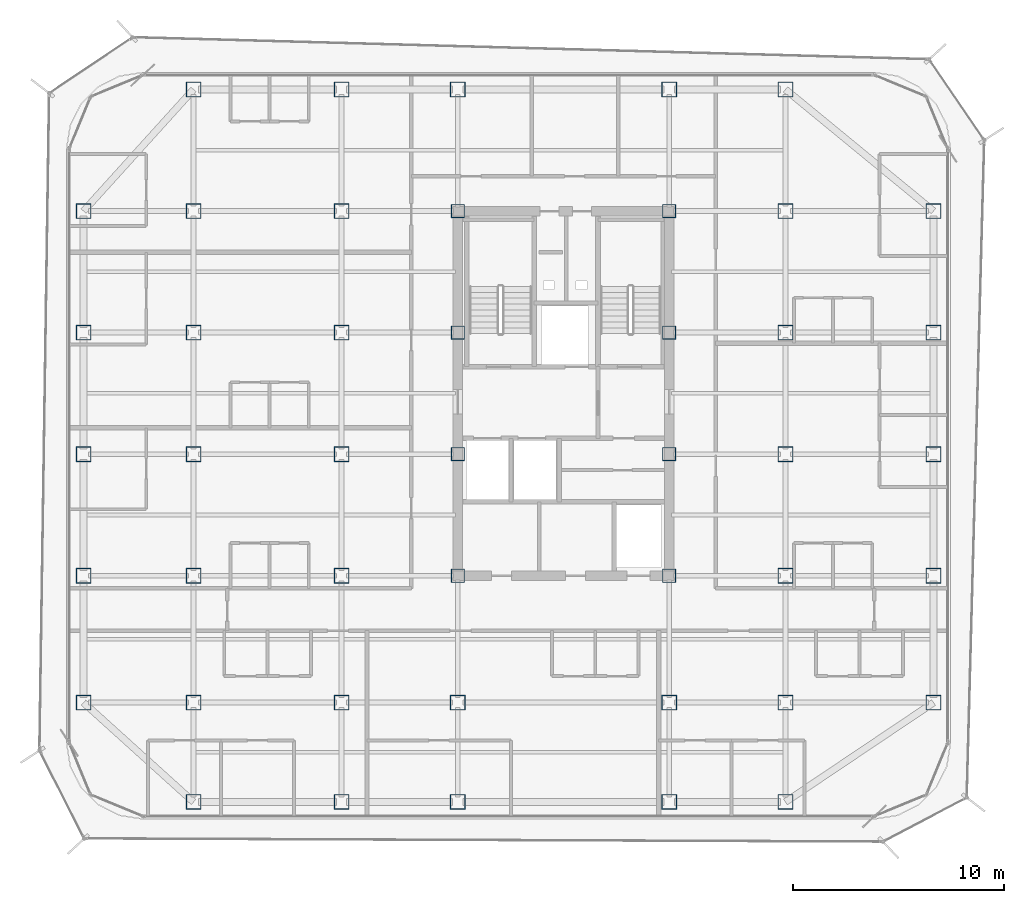
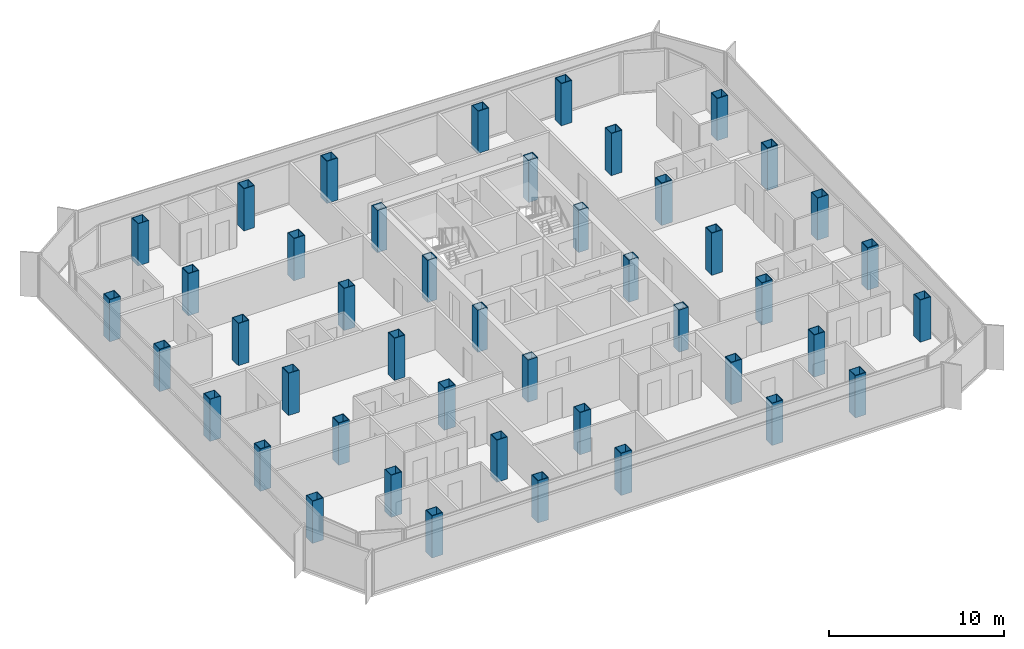
# One storey, part 1 of 16: 45 columns.
"""IFC4 building model written with IfcOpenShell, lengths in metres."""

from ifc_helpers import new_model, si_unit, direction, frame, origin, origin_2d, place, context, subcontext, project, spatial, hollow_rectangle, extrude, source, transform, mapped, material, material_profile, profile_set, type_object, element, save


model = new_model("IFC4")

# Units and contexts
model_context = context("Model", 3, precision=1e-05, world=origin(), true_north=direction((0.0, 1.0)))
body_context = subcontext(model_context, "Body", "Model", "MODEL_VIEW")
ifc_project = project(units=[si_unit("LENGTHUNIT", "METRE"), si_unit("AREAUNIT", "SQUARE_METRE"), si_unit("VOLUMEUNIT", "CUBIC_METRE"), si_unit("PLANEANGLEUNIT", "RADIAN"), si_unit("MASSUNIT", "GRAM", prefix="KILO")], contexts=[model_context])

# Site, building, storey
site_placement = place(None, origin())
site = spatial("IfcSite", under=ifc_project, at=site_placement, CompositionType="ELEMENT")
building_placement = place(site_placement, origin())
building = spatial("IfcBuilding", under=site, at=building_placement, Name="Kolveth Station Tower", CompositionType="ELEMENT")
storey_placement = place(building_placement, frame((0.0, 0.0, 159.300048828125)))
storey = spatial("IfcBuildingStorey", under=building, at=storey_placement, Name="L44", CompositionType="ELEMENT", Elevation=159.300048828125)

# Columns
ifc_material = material(Name="Steel S355", Category="steel")
ifc_material_profile_1 = material_profile(ifc_material, hollow_rectangle(XDim=0.719970703125, YDim=0.719970703125, WallThickness=0.0400390625, at=origin_2d()), Name="BOX720x720x40")
ifc_profile_set_1 = profile_set([ifc_material_profile_1], Name="Steel S355")
column_type_1 = type_object("IfcColumnType", Name="Col_C6", PredefinedType="COLUMN", material=ifc_profile_set_1)
shared_shape_1 = source(origin(), body_context, "Body", "SweptSolid", [
    extrude(hollow_rectangle(XDim=0.719970703125, YDim=0.719970703125, WallThickness=0.0400390625, at=origin_2d()), origin(), (0.0, 0.0, 1.0), 2.949951171875),
])
for number, where, z_axis, x_axis, name in (
    (1, (6.0, 0.800048828125, 0.0), (0.0, 0.0, 1.0), (1.0, 0.0, 0.0), "L44 Tower Column S-X60"),
    (2, (6.0, 34.5, 0.0), (0.0, 0.0, 1.0), (1.0, 0.0, 0.0), "L44 Tower Column N-X60"),
    (3, (13.0, 0.800048828125, 0.0), (0.0, 0.0, 1.0), (1.0, 0.0, 0.0), "L44 Tower Column S-X130"),
    (4, (13.0, 34.5, 0.0), (0.0, 0.0, 1.0), (1.0, 0.0, 0.0), "L44 Tower Column N-X130"),
    (5, (18.5, 0.800048828125, 0.0), (0.0, 0.0, 1.0), (1.0, 0.0, 0.0), "L44 Tower Column S-X185"),
    (6, (18.5, 34.5, 0.0), (0.0, 0.0, 1.0), (1.0, 0.0, 0.0), "L44 Tower Column N-X185"),
    (7, (28.5, 0.800048828125, 0.0), (0.0, 0.0, 1.0), (1.0, 0.0, 0.0), "L44 Tower Column S-X285"),
    (8, (28.5, 34.5, 0.0), (0.0, 0.0, 1.0), (1.0, 0.0, 0.0), "L44 Tower Column N-X285"),
    (9, (34.0, 0.800048828125, 0.0), (0.0, 0.0, 1.0), (1.0, 0.0, 0.0), "L44 Tower Column S-X340"),
    (10, (34.0, 34.5, 0.0), (0.0, 0.0, 1.0), (1.0, 0.0, 0.0), "L44 Tower Column N-X340"),
    (11, (0.800048828125, 5.5, 0.0), (0.0, 0.0, 1.0), (1.0, 0.0, 0.0), "L44 Tower Column W-Y55"),
    (12, (41.0, 5.5, 0.0), (0.0, 0.0, 1.0), (1.0, 0.0, 0.0), "L44 Tower Column E-Y55"),
    (13, (0.800048828125, 11.5, 0.0), (0.0, 0.0, 1.0), (1.0, 0.0, 0.0), "L44 Tower Column W-Y115"),
    (14, (41.0, 11.5, 0.0), (0.0, 0.0, 1.0), (1.0, 0.0, 0.0), "L44 Tower Column E-Y115"),
    (15, (0.800048828125, 17.25, 0.0), (0.0, 0.0, 1.0), (1.0, 0.0, 0.0), "L44 Tower Column W-Y172"),
    (16, (41.0, 17.25, 0.0), (0.0, 0.0, 1.0), (1.0, 0.0, 0.0), "L44 Tower Column E-Y172"),
    (17, (0.800048828125, 23.0, 0.0), (0.0, 0.0, 1.0), (1.0, 0.0, 0.0), "L44 Tower Column W-Y230"),
    (18, (41.0, 23.0, 0.0), (0.0, 0.0, 1.0), (1.0, 0.0, 0.0), "L44 Tower Column E-Y230"),
    (19, (0.800048828125, 28.75, 0.0), (0.0, 0.0, 1.0), (1.0, 0.0, 0.0), "L44 Tower Column W-Y287"),
    (20, (41.0, 28.75, 0.0), (0.0, 0.0, 1.0), (1.0, 0.0, 0.0), "L44 Tower Column E-Y287"),
    (21, (6.0, 5.5, 0.0), (0.0, 0.0, 1.0), (1.0, 0.0, 0.0), "L44 Tower Column G-60-55"),
    (22, (6.0, 11.5, 0.0), (0.0, 0.0, 1.0), (1.0, 0.0, 0.0), "L44 Tower Column G-60-115"),
    (23, (6.0, 17.25, 0.0), (0.0, 0.0, 1.0), (1.0, 0.0, 0.0), "L44 Tower Column G-60-172"),
    (24, (6.0, 23.0, 0.0), (0.0, 0.0, 1.0), (1.0, 0.0, 0.0), "L44 Tower Column G-60-230"),
    (25, (6.0, 28.75, 0.0), (0.0, 0.0, 1.0), (1.0, 0.0, 0.0), "L44 Tower Column G-60-287"),
    (26, (13.0, 5.5, 0.0), (0.0, 0.0, 1.0), (1.0, 0.0, 0.0), "L44 Tower Column G-130-55"),
    (27, (13.0, 11.5, 0.0), (0.0, 0.0, 1.0), (1.0, 0.0, 0.0), "L44 Tower Column G-130-115"),
    (28, (13.0, 17.25, 0.0), (0.0, 0.0, 1.0), (1.0, 0.0, 0.0), "L44 Tower Column G-130-172"),
    (29, (13.0, 23.0, 0.0), (0.0, 0.0, 1.0), (1.0, 0.0, 0.0), "L44 Tower Column G-130-230"),
    (30, (13.0, 28.75, 0.0), (0.0, 0.0, 1.0), (1.0, 0.0, 0.0), "L44 Tower Column G-130-287"),
    (31, (18.5, 5.5, 0.0), (0.0, 0.0, 1.0), (1.0, 0.0, 0.0), "L44 Tower Column G-185-55"),
    (32, (28.5, 5.5, 0.0), (0.0, 0.0, 1.0), (1.0, 0.0, 0.0), "L44 Tower Column G-285-55"),
    (33, (34.0, 5.5, 0.0), (0.0, 0.0, 1.0), (1.0, 0.0, 0.0), "L44 Tower Column G-340-55"),
    (34, (34.0, 11.5, 0.0), (0.0, 0.0, 1.0), (1.0, 0.0, 0.0), "L44 Tower Column G-340-115"),
    (35, (34.0, 17.25, 0.0), (0.0, 0.0, 1.0), (1.0, 0.0, 0.0), "L44 Tower Column G-340-172"),
    (36, (34.0, 23.0, 0.0), (0.0, 0.0, 1.0), (1.0, 0.0, 0.0), "L44 Tower Column G-340-230"),
    (37, (34.0, 28.75, 0.0), (0.0, 0.0, 1.0), (1.0, 0.0, 0.0), "L44 Tower Column G-340-287"),
):
    element("IfcColumn", number, at=place(storey_placement, frame(where, z_axis=z_axis, x_axis=x_axis)), inside=storey, type_object=column_type_1, Name=name, PredefinedType="COLUMN", context=body_context, shape_type="MappedRepresentation", body=[
        mapped(shared_shape_1, transform((0.0, 0.0, 0.0), x_axis=(1.0, 0.0, 0.0), y_axis=(0.0, 1.0, 0.0), z_axis=(0.0, 0.0, 1.0), scale=1.0)),
    ])
ifc_material_profile_2 = material_profile(ifc_material, hollow_rectangle(XDim=0.639892578125, YDim=0.639892578125, WallThickness=0.034912109375, at=origin_2d()), Name="BOX640x640x35")
ifc_profile_set_2 = profile_set([ifc_material_profile_2], Name="Steel S355")
column_type_2 = type_object("IfcColumnType", Name="Col_C7", PredefinedType="COLUMN", material=ifc_profile_set_2)
shared_shape_2 = source(origin(), body_context, "Body", "SweptSolid", [
    extrude(hollow_rectangle(XDim=0.639892578125, YDim=0.639892578125, WallThickness=0.034912109375, at=origin_2d()), origin(), (0.0, 0.0, 1.0), 2.949951171875),
])
for number, where, z_axis, x_axis, name in (
    (38, (18.5, 11.5, 0.0), (0.0, 0.0, 1.0), (1.0, 0.0, 0.0), "L44 Tower Column G-185-115"),
    (39, (18.5, 17.25, 0.0), (0.0, 0.0, 1.0), (1.0, 0.0, 0.0), "L44 Tower Column G-185-172"),
    (40, (18.5, 23.0, 0.0), (0.0, 0.0, 1.0), (1.0, 0.0, 0.0), "L44 Tower Column G-185-230"),
    (41, (18.5, 28.75, 0.0), (0.0, 0.0, 1.0), (1.0, 0.0, 0.0), "L44 Tower Column G-185-287"),
    (42, (28.5, 11.5, 0.0), (0.0, 0.0, 1.0), (1.0, 0.0, 0.0), "L44 Tower Column G-285-115"),
    (43, (28.5, 17.25, 0.0), (0.0, 0.0, 1.0), (1.0, 0.0, 0.0), "L44 Tower Column G-285-172"),
    (44, (28.5, 23.0, 0.0), (0.0, 0.0, 1.0), (1.0, 0.0, 0.0), "L44 Tower Column G-285-230"),
    (45, (28.5, 28.75, 0.0), (0.0, 0.0, 1.0), (1.0, 0.0, 0.0), "L44 Tower Column G-285-287"),
):
    element("IfcColumn", number, at=place(storey_placement, frame(where, z_axis=z_axis, x_axis=x_axis)), inside=storey, type_object=column_type_2, Name=name, PredefinedType="COLUMN", context=body_context, shape_type="MappedRepresentation", body=[
        mapped(shared_shape_2, transform((0.0, 0.0, 0.0), x_axis=(1.0, 0.0, 0.0), y_axis=(0.0, 1.0, 0.0), z_axis=(0.0, 0.0, 1.0), scale=1.0)),
    ])

save(model, "model.ifc")
